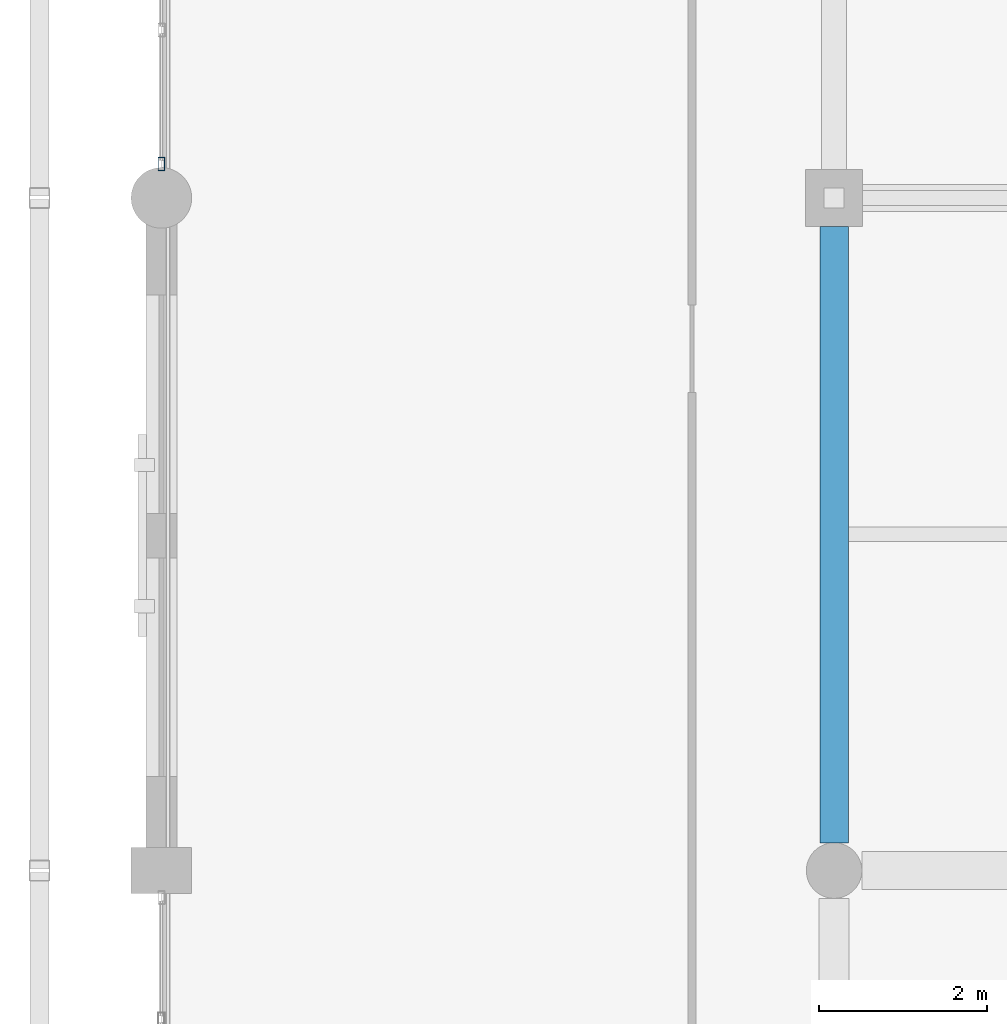
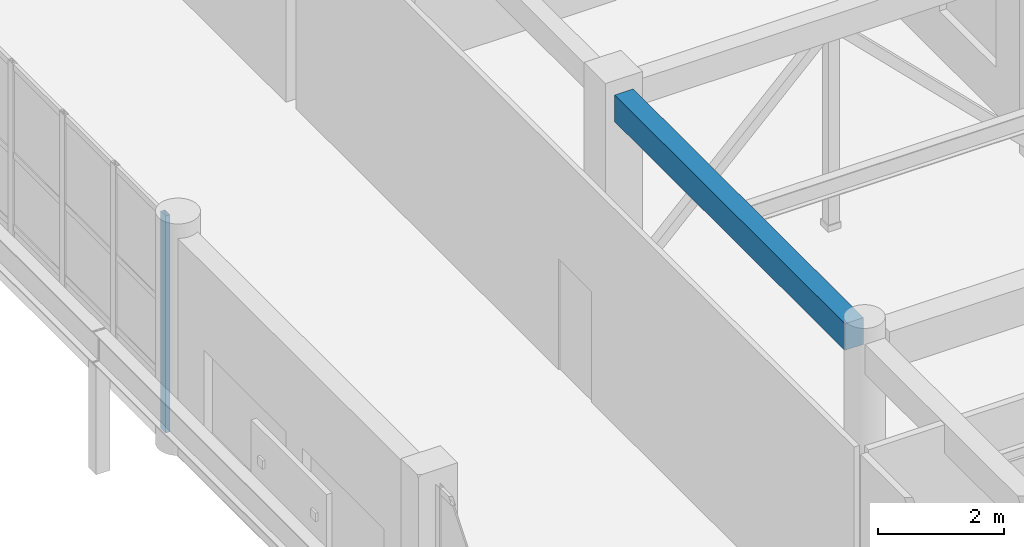
# One storey, part 65 of 160: 1 beam, 1 member, 1 element without a shape of its own.
"""IFC4 building model written with IfcOpenShell, lengths in metres."""

from ifc_helpers import new_model, si_unit, direction, frame, origin, origin_2d, place, context, subcontext, project, spatial, rectangle, hollow_rectangle, extrude, material, material_profile, profile_set, type_object, element, aggregate, save


model = new_model("IFC4")

# Units and contexts
model_context = context("Model", 3, precision=1e-05, world=origin(), true_north=direction((0.0, 1.0)))
body_context = subcontext(model_context, "Body", "Model", "MODEL_VIEW")
ifc_project = project(units=[si_unit("LENGTHUNIT", "METRE"), si_unit("AREAUNIT", "SQUARE_METRE"), si_unit("VOLUMEUNIT", "CUBIC_METRE"), si_unit("PLANEANGLEUNIT", "RADIAN"), si_unit("MASSUNIT", "GRAM", prefix="KILO")], contexts=[model_context])

# Site, building, storey
site_placement = place(None, origin())
site = spatial("IfcSite", under=ifc_project, at=site_placement, CompositionType="ELEMENT")
building_placement = place(site_placement, origin())
building = spatial("IfcBuilding", under=site, at=building_placement, Name="Kharva Crest Polytechnic", CompositionType="ELEMENT")
storey_placement = place(building_placement, frame((0.0, 0.0, 4.5)))
storey = spatial("IfcBuildingStorey", under=building, at=storey_placement, Name="L01", CompositionType="ELEMENT", Elevation=4.5)

# Beam
ifc_material_1 = material(Name="Concrete C35/45", Category="concrete")
ifc_material_profile_1 = material_profile(ifc_material_1, rectangle(XDim=0.340087890625, YDim=0.52001953125, at=origin_2d()), Name="RECT 340 X 520")
ifc_profile_set_1 = profile_set([ifc_material_profile_1], Name="Concrete C35/45")
beam_type = type_object("IfcBeamType", Name="BM-RC-340X520", PredefinedType="BEAM", material=ifc_profile_set_1)
beam_placement = place(storey_placement, frame((40.0, 71.1298828125, 3.9599609375), z_axis=(0.0, 1.0, 0.0), x_axis=(-1.0, 0.0, 0.0)))
element("IfcBeam", 1, at=beam_placement, inside=storey, type_object=beam_type, Name="L01 Girder 6/K-L", PredefinedType="BEAM", context=body_context, shape_type="SweptSolid", body=[
    extrude(rectangle(XDim=0.340087890625, YDim=0.52001953125, at=origin_2d()), origin(), (0.0, 0.0, 1.0), 7.330078125),
])

# Curtain wall, member
ifc_material_2 = material(Name="Tempered insulated glass", Category="glass")
curtain_wall_type = type_object("IfcCurtainWallType", Name="CW-SYS-COURT", PredefinedType="USERDEFINED", material=ifc_material_2)
curtain_wall_placement = place(storey_placement, origin())
curtain_wall = element("IfcCurtainWall", 2, at=curtain_wall_placement, inside=storey, type_object=curtain_wall_type, Name="L01 Glazed Curtain Wall CW-053", ObjectType="CURTAIN WALL", PredefinedType="USERDEFINED")
ifc_material_3 = material(Name="Steel S355", Category="steel")
ifc_material_profile_2 = material_profile(ifc_material_3, hollow_rectangle(XDim=0.080078125, YDim=0.159912109375, WallThickness=0.0048828125, at=origin_2d()), Name="RHS 160X80X5.0")
ifc_profile_set_2 = profile_set([ifc_material_profile_2], Name="Steel S355")
member_type = type_object("IfcMemberType", Name="CWM-RHS160X80", PredefinedType="MULLION", material=ifc_profile_set_2)
member_placement = place(storey_placement, frame((32.0, 79.205078125, 0.0), z_axis=(0.0, 0.0, 1.0), x_axis=(1.0, 0.0, 0.0)))
member = element("IfcMember", 3, at=member_placement, type_object=member_type, Name="CW-053 mullion 5", PredefinedType="MULLION", context=body_context, shape_type="SweptSolid", body=[
    extrude(hollow_rectangle(XDim=0.080078125, YDim=0.159912109375, WallThickness=0.0048828125, at=origin_2d()), origin(), (0.0, 0.0, 1.0), 4.219970703125),
])
aggregate(curtain_wall, [member])

save(model, "model.ifc")
